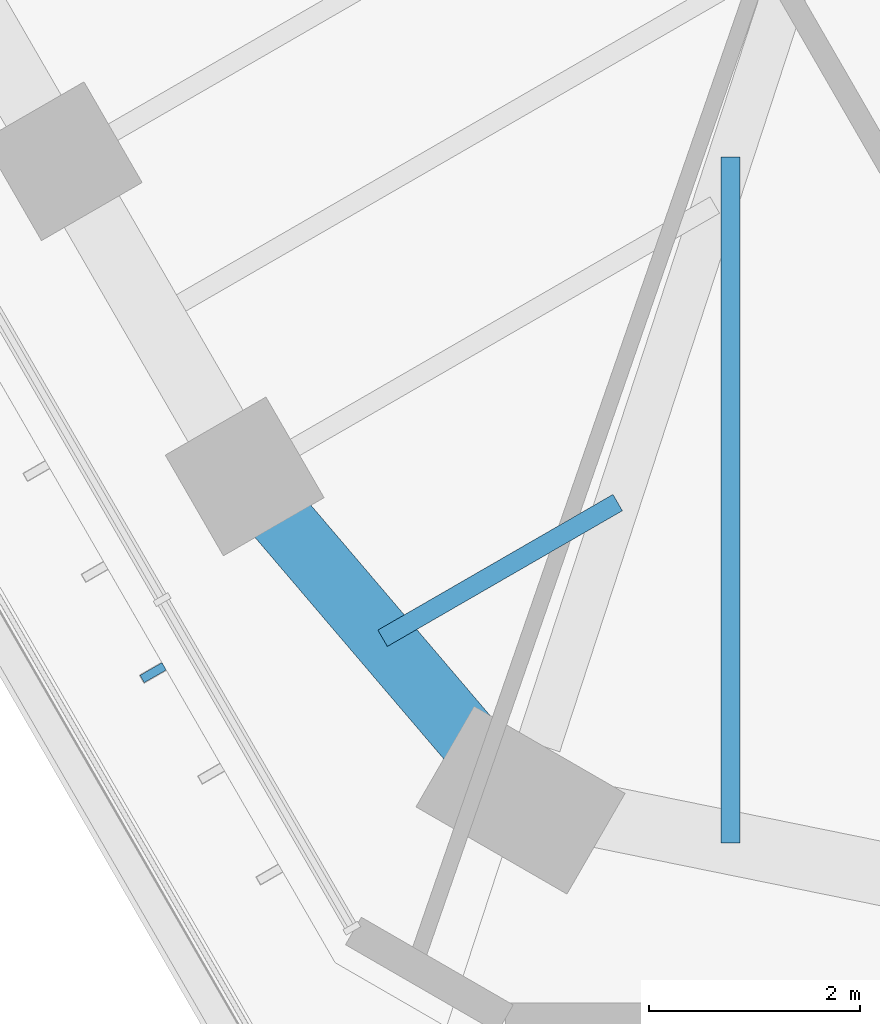
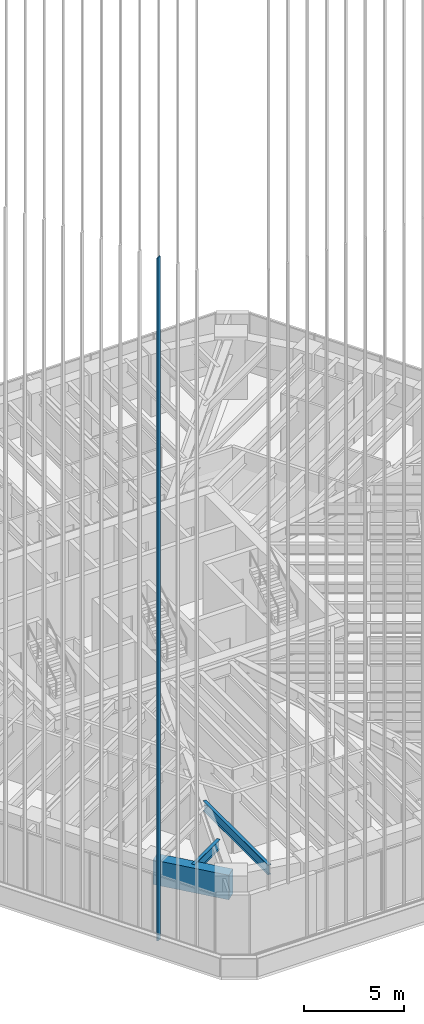
# One storey, part 12 of 127: 3 beams, 1 member, 1 element without a shape of its own.
"""IFC4 building model written with IfcOpenShell, lengths in metres."""

from ifc_helpers import new_model, si_unit, direction, frame, origin, origin_2d, place, context, subcontext, project, spatial, rectangle, i_section, extrude, material, material_profile, profile_set, type_object, element, aggregate, save


model = new_model("IFC4")

# Units and contexts
model_context = context("Model", 3, precision=1e-05, world=origin(), true_north=direction((0.0, 1.0)))
body_context = subcontext(model_context, "Body", "Model", "MODEL_VIEW")
ifc_project = project(units=[si_unit("LENGTHUNIT", "METRE"), si_unit("AREAUNIT", "SQUARE_METRE"), si_unit("VOLUMEUNIT", "CUBIC_METRE"), si_unit("PLANEANGLEUNIT", "RADIAN"), si_unit("MASSUNIT", "GRAM", prefix="KILO")], contexts=[model_context])

# Site, building, storey
site_placement = place(None, origin())
site = spatial("IfcSite", under=ifc_project, at=site_placement, CompositionType="ELEMENT")
building_placement = place(site_placement, origin())
building = spatial("IfcBuilding", under=site, at=building_placement, Name="Sandreach Pilgrim Tower", CompositionType="ELEMENT")
storey_placement = place(building_placement, frame((0.0, 0.0, 257.0)))
storey = spatial("IfcBuildingStorey", under=building, at=storey_placement, Name="L64", CompositionType="ELEMENT", Elevation=257.0)

# Beams
ifc_material_1 = material(Name="Steel ASTM A992 Grade 50", Category="steel")
ifc_material_profile_1 = material_profile(ifc_material_1, i_section(OverallWidth=0.1787109375, OverallDepth=0.60205078125, WebThickness=0.010986328125, FlangeThickness=0.014892578125, at=origin_2d()), Name="W24X62")
ifc_profile_set_1 = profile_set([ifc_material_profile_1], Name="Steel ASTM A992 Grade 50")
beam_type_1 = type_object("IfcBeamType", Name="Floor beam W24X62", PredefinedType="BEAM", material=ifc_profile_set_1)
beam_1_placement = place(storey_placement, frame((-5.452392578125, -23.19384765625, 3.339111328125), z_axis=(0.0, 1.0, 0.0), x_axis=(-1.0, 0.0, 0.0)))
element("IfcBeam", 1, at=beam_1_placement, inside=storey, type_object=beam_type_1, Name="BM L64 FM25", PredefinedType="BEAM", context=body_context, shape_type="SweptSolid", body=[
    extrude(i_section(OverallWidth=0.1787109375, OverallDepth=0.60205078125, WebThickness=0.010986328125, FlangeThickness=0.014892578125, at=origin_2d()), origin(), (0.0, 0.0, 1.0), 6.49072265625),
])
beam_2_placement = place(storey_placement, frame((-8.74462890625, -21.25732421875, 3.339111328125), z_axis=(0.866041575714, 0.49997198835, 0.0), x_axis=(-0.49997198835, 0.866041575714, 0.0)))
element("IfcBeam", 2, at=beam_2_placement, inside=storey, type_object=beam_type_1, Name="BM L64 FM26", PredefinedType="BEAM", context=body_context, shape_type="SweptSolid", body=[
    extrude(i_section(OverallWidth=0.1787109375, OverallDepth=0.60205078125, WebThickness=0.010986328125, FlangeThickness=0.014892578125, at=origin_2d()), origin(), (0.0, 0.0, 1.0), 2.569091796875),
])
ifc_material_2 = material(Name="Concrete 10000 psi", Category="concrete")
ifc_material_profile_2 = material_profile(ifc_material_2, rectangle(XDim=0.60009765625, YDim=1.5, at=origin_2d()), Name="RC600X1500")
ifc_profile_set_2 = profile_set([ifc_material_profile_2], Name="Concrete 10000 psi")
beam_type_2 = type_object("IfcBeamType", Name="Spandrel beam RC600X1500", PredefinedType="SPANDREL", material=ifc_profile_set_2)
beam_3_placement = place(storey_placement, frame((-7.439208984375, -22.78955078125, 2.889892578125), z_axis=(-0.648586192707, 0.761141215958, 0.0), x_axis=(-0.761141215958, -0.648586192707, 0.0)))
element("IfcBeam", 3, at=beam_3_placement, inside=storey, type_object=beam_type_2, Name="BM L64 SP26", PredefinedType="SPANDREL", context=body_context, shape_type="SweptSolid", body=[
    extrude(rectangle(XDim=0.60009765625, YDim=1.5, at=origin_2d()), origin(), (0.0, 0.0, 1.0), 4.02587890625),
])

# Curtain wall, member
ifc_material_3 = material(Name="Aluminium framed curtain wall", Category="aluminium")
curtain_wall_type = type_object("IfcCurtainWallType", Name="Suite tower curtain wall", PredefinedType="NOTDEFINED", material=ifc_material_3)
curtain_wall_placement = place(storey_placement, origin())
curtain_wall = element("IfcCurtainWall", 4, at=curtain_wall_placement, inside=storey, type_object=curtain_wall_type, Name="CW-4 L64 SW", PredefinedType="NOTDEFINED")
ifc_material_4 = material(Name="Extruded terracotta on aluminium core", Category="masonry")
ifc_material_profile_3 = material_profile(ifc_material_4, rectangle(XDim=0.080078125, YDim=0.239990234375, at=origin_2d()), Name="TBW 80X240")
ifc_profile_set_3 = profile_set([ifc_material_profile_3], Name="Extruded terracotta on aluminium core")
member_type = type_object("IfcMemberType", Name="Terracotta baguette west", PredefinedType="USERDEFINED", material=ifc_profile_set_3)
member_placement = place(storey_placement, frame((-10.91748046875, -21.5830078125, 0.0), z_axis=(0.0, 0.0, 1.0), x_axis=(-0.5, 0.866025403784, 0.0)))
member = element("IfcMember", 5, at=member_placement, type_object=member_type, Name="Baguette Z4 SW03", ObjectType="BAGUETTE", PredefinedType="USERDEFINED", context=body_context, shape_type="SweptSolid", body=[
    extrude(rectangle(XDim=0.080078125, YDim=0.239990234375, at=origin_2d()), origin(), (0.0, 0.0, 1.0), 41.639892578125),
])
aggregate(curtain_wall, [member])

save(model, "model.ifc")
